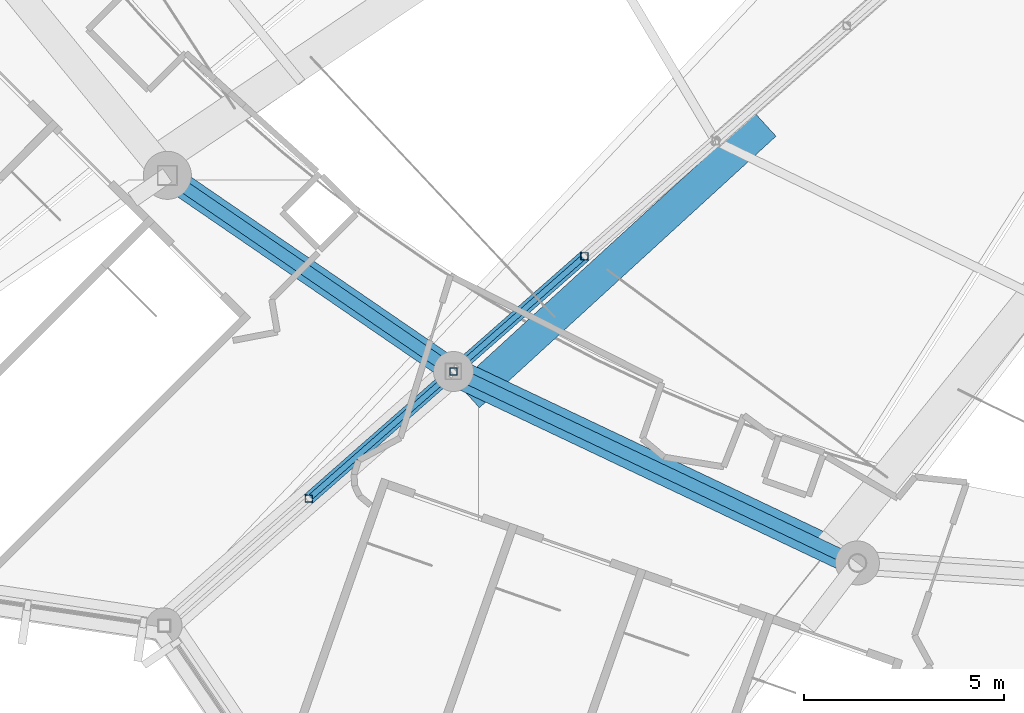
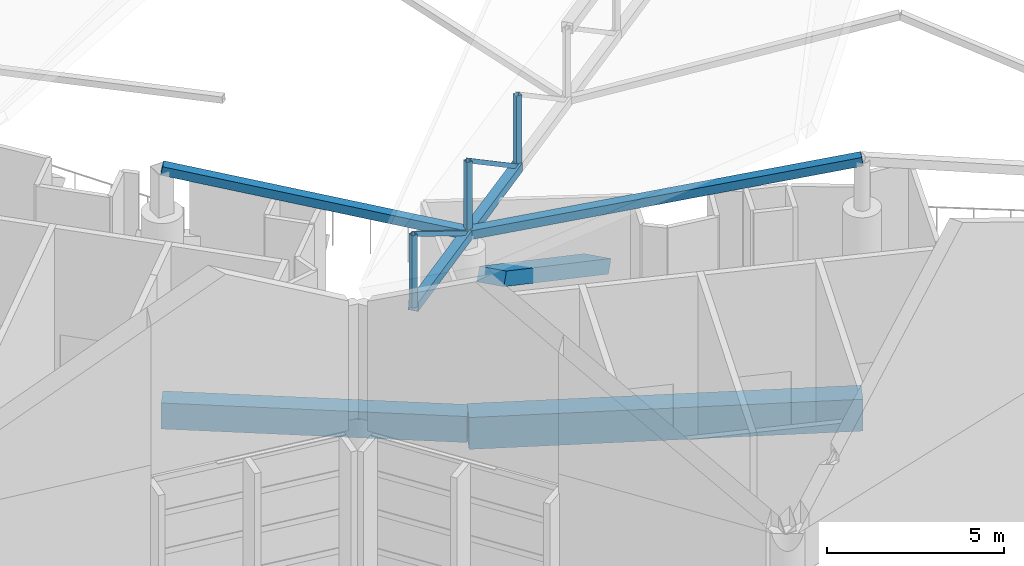
# One storey, part 8 of 344: 9 members, 3 beams.
"""IFC4 building model written with IfcOpenShell, lengths in metres."""

from ifc_helpers import new_model, si_unit, direction, frame, origin, origin_2d, place, context, subcontext, project, spatial, rectangle, hollow_rectangle, extrude, material, material_profile, profile_set, type_object, element, save


model = new_model("IFC4")

# Units and contexts
model_context = context("Model", 3, precision=1e-05, world=origin(), true_north=direction((0.0, 1.0)))
body_context = subcontext(model_context, "Body", "Model", "MODEL_VIEW")
ifc_project = project(units=[si_unit("LENGTHUNIT", "METRE"), si_unit("AREAUNIT", "SQUARE_METRE"), si_unit("VOLUMEUNIT", "CUBIC_METRE"), si_unit("PLANEANGLEUNIT", "RADIAN"), si_unit("MASSUNIT", "GRAM", prefix="KILO")], contexts=[model_context])

# Site, building, storey
site_placement = place(None, origin())
site = spatial("IfcSite", under=ifc_project, at=site_placement, CompositionType="ELEMENT")
building_placement = place(site_placement, origin())
building = spatial("IfcBuilding", under=site, at=building_placement, Name="Meseta Stadium", CompositionType="ELEMENT")
storey_placement = place(building_placement, frame((0.0, 0.0, 24.0)))
storey = spatial("IfcBuildingStorey", under=building, at=storey_placement, Name="L04", CompositionType="ELEMENT", Elevation=24.0)

# Beams
ifc_material_1 = material(Name="Concrete C40/50", Category="concrete")
ifc_material_profile_1 = material_profile(ifc_material_1, rectangle(XDim=0.60009765625, YDim=0.89990234375, at=origin_2d()), Name="RC 600x900")
ifc_profile_set_1 = profile_set([ifc_material_profile_1], Name="Concrete C40/50")
beam_type_1 = type_object("IfcBeamType", Name="RC beam 600x900", PredefinedType="BEAM", material=ifc_profile_set_1)
beam_1_placement = place(storey_placement, frame((-71.775390625, -79.888916015625, -0.85009765625), z_axis=(0.824813247637, -0.565405258662, 0.0), x_axis=(0.565405258662, 0.824813247637, 0.0)))
element("IfcBeam", 1, at=beam_1_placement, inside=storey, type_object=beam_type_1, Name="L04 ring beam frame 40 line P", PredefinedType="BEAM", context=body_context, shape_type="SweptSolid", body=[
    extrude(rectangle(XDim=0.60009765625, YDim=0.89990234375, at=origin_2d()), origin(), (0.0, 0.0, 1.0), 8.672607421875),
])
ifc_material_2 = material(Name="Concrete C40/50", Category="concrete")
ifc_material_profile_2 = material_profile(ifc_material_2, rectangle(XDim=0.699951171875, YDim=1.10009765625, at=origin_2d()), Name="RC 700x1100")
ifc_profile_set_2 = profile_set([ifc_material_profile_2], Name="Concrete C40/50")
beam_type_2 = type_object("IfcBeamType", Name="RC beam 700x1100", PredefinedType="BEAM", material=ifc_profile_set_2)
beam_2_placement = place(storey_placement, frame((-64.6220703125, -84.79248046875, -0.949951171875), z_axis=(0.903627495473, -0.428319214402, 0.0), x_axis=(0.428319214402, 0.903627495473, 0.0)))
element("IfcBeam", 2, at=beam_2_placement, inside=storey, type_object=beam_type_2, Name="L04 ring beam frame 41 line P", PredefinedType="BEAM", context=body_context, shape_type="SweptSolid", body=[
    extrude(rectangle(XDim=0.699951171875, YDim=1.10009765625, at=origin_2d()), origin(), (0.0, 0.0, 1.0), 11.176025390625),
])
ifc_material_3 = material(Name="Concrete C40/50", Category="concrete")
ifc_material_profile_3 = material_profile(ifc_material_3, rectangle(XDim=0.800048828125, YDim=0.449951171875, at=origin_2d()), Name="RC 800x450")
ifc_profile_set_3 = profile_set([ifc_material_profile_3], Name="Concrete C40/50")
beam_type_3 = type_object("IfcBeamType", Name="RC raker upper rear 800x450", PredefinedType="USERDEFINED", material=ifc_profile_set_3)
beam_3_placement = place(storey_placement, frame((-56.9150390625, -78.69580078125, -1.73486328125), z_axis=(-0.62597534425, -0.573017454419, 0.528966790378), x_axis=(0.675216522578, -0.737619581924, 0.0)))
element("IfcBeam", 3, at=beam_3_placement, inside=storey, type_object=beam_type_3, Name="Raker upper rear frame 41 upper tier", ObjectType="RAKER", PredefinedType="USERDEFINED", context=body_context, shape_type="SweptSolid", body=[
    extrude(rectangle(XDim=0.800048828125, YDim=0.449951171875, at=origin_2d()), origin(), (0.0, 0.0, 1.0), 11.566650390625),
])

# Members
ifc_material_4 = material(Name="Steel S355", Category="steel")
ifc_material_profile_4 = material_profile(ifc_material_4, hollow_rectangle(XDim=0.139892578125, YDim=0.139892578125, WallThickness=0.0048828125, at=origin_2d()), Name="SHS 140x140x5")
ifc_profile_set_4 = profile_set([ifc_material_profile_4], Name="Steel S355")
member_type_1 = type_object("IfcMemberType", Name="SHS 140x140x5 diagonal", PredefinedType="BRACE", material=ifc_profile_set_4)
member_1_placement = place(storey_placement, frame((-61.34521484375, -81.91259765625, 5.130859375), z_axis=(-0.612496948753, -0.538296379637, 0.578864833478), x_axis=(0.66014331382, -0.751139670913, 0.0)))
element("IfcMember", 4, at=member_1_placement, inside=storey, type_object=member_type_1, Name="ROOF TRUSS RT-41 diagonal", PredefinedType="BRACE", context=body_context, shape_type="SweptSolid", body=[
    extrude(hollow_rectangle(XDim=0.139892578125, YDim=0.139892578125, WallThickness=0.0048828125, at=origin_2d()), origin(), (0.0, 0.0, 1.0), 5.35009765625),
])
member_2_placement = place(storey_placement, frame((-64.6220703125, -84.79248046875, 5.734130859375), z_axis=(-0.628035592371, -0.551952452174, 0.548561560132), x_axis=(0.660143211531, -0.75113976081, 0.0)))
element("IfcMember", 5, at=member_2_placement, inside=storey, type_object=member_type_1, Name="ROOF TRUSS RT-41 diagonal", PredefinedType="BRACE", context=body_context, shape_type="SweptSolid", body=[
    extrude(hollow_rectangle(XDim=0.139892578125, YDim=0.139892578125, WallThickness=0.0048828125, at=origin_2d()), origin(), (0.0, 0.0, 1.0), 5.760009765625),
])
ifc_material_5 = material(Name="Steel S355", Category="steel")
ifc_material_profile_5 = material_profile(ifc_material_5, hollow_rectangle(XDim=0.179931640625, YDim=0.179931640625, WallThickness=0.00634765625, at=origin_2d()), Name="SHS 180x180x6.3")
ifc_profile_set_5 = profile_set([ifc_material_profile_5], Name="Steel S355")
member_type_2 = type_object("IfcMemberType", Name="SHS 180x180x6.3 post", PredefinedType="POST", material=ifc_profile_set_5)
for number, where, z_axis, x_axis, name in (
    (6, (-61.34521484375, -81.91259765625, 5.130859375), (0.0, 0.0, 1.0), (1.0, 0.0, 0.0), "ROOF TRUSS RT-41 post"),
    (7, (-64.6220703125, -84.79248046875, 5.734130859375), (0.0, 0.0, 1.0), (1.0, 0.0, 0.0), "ROOF TRUSS RT-41 post"),
    (8, (-68.239501953125, -87.9716796875, 6.400146484375), (0.0, 0.0, 1.0), (1.0, 0.0, 0.0), "ROOF TRUSS RT-41 post"),
):
    element("IfcMember", number, at=place(storey_placement, frame(where, z_axis=z_axis, x_axis=x_axis)), inside=storey, type_object=member_type_2, Name=name, PredefinedType="POST", context=body_context, shape_type="SweptSolid", body=[
        extrude(hollow_rectangle(XDim=0.179931640625, YDim=0.179931640625, WallThickness=0.00634765625, at=origin_2d()), origin(), (0.0, 0.0, 1.0), 2.49365234375),
    ])
ifc_material_6 = material(Name="Steel S355", Category="steel")
ifc_material_profile_6 = material_profile(ifc_material_6, hollow_rectangle(XDim=0.300048828125, YDim=0.300048828125, WallThickness=0.010009765625, at=origin_2d()), Name="SHS 300x300x10")
ifc_profile_set_6 = profile_set([ifc_material_profile_6], Name="Steel S355")
member_type_3 = type_object("IfcMemberType", Name="SHS 300x300x10 bottom chord", PredefinedType="CHORD", material=ifc_profile_set_6)
member_3_placement = place(storey_placement, frame((-61.34521484375, -81.91259765625, 5.130859375), z_axis=(-0.744059098746, -0.653920513247, 0.13698182335), x_axis=(0.66014331382, -0.751139670913, 0.0)))
element("IfcMember", 9, at=member_3_placement, inside=storey, type_object=member_type_3, Name="ROOF TRUSS RT-41 bottom chord", PredefinedType="CHORD", context=body_context, shape_type="SweptSolid", body=[
    extrude(hollow_rectangle(XDim=0.300048828125, YDim=0.300048828125, WallThickness=0.010009765625, at=origin_2d()), origin(), (0.0, 0.0, 1.0), 4.404052734375),
])
member_4_placement = place(storey_placement, frame((-64.6220703125, -84.79248046875, 5.734130859375), z_axis=(-0.744058267473, -0.653919603093, 0.136990683247), x_axis=(0.660143211531, -0.75113976081, 0.0)))
element("IfcMember", 10, at=member_4_placement, inside=storey, type_object=member_type_3, Name="ROOF TRUSS RT-41 bottom chord", PredefinedType="CHORD", context=body_context, shape_type="SweptSolid", body=[
    extrude(hollow_rectangle(XDim=0.300048828125, YDim=0.300048828125, WallThickness=0.010009765625, at=origin_2d()), origin(), (0.0, 0.0, 1.0), 4.86181640625),
])
ifc_material_7 = material(Name="Steel S355", Category="steel")
ifc_material_profile_7 = material_profile(ifc_material_7, hollow_rectangle(XDim=0.300048828125, YDim=0.300048828125, WallThickness=0.010009765625, at=origin_2d()), Name="SHS 300x300x10")
ifc_profile_set_7 = profile_set([ifc_material_profile_7], Name="Steel S355")
member_type_4 = type_object("IfcMemberType", Name="SHS 300x300x10 pivot strut", PredefinedType="STRUT", material=ifc_profile_set_7)
member_5_placement = place(storey_placement, frame((-71.775390625, -79.888916015625, 7.498779296875), z_axis=(0.808251656323, -0.554052372602, -0.199387132147), x_axis=(0.565405258662, 0.824813247637, 0.0)))
element("IfcMember", 11, at=member_5_placement, inside=storey, type_object=member_type_4, Name="ROOF PIVOT STRUT RT-40/41", PredefinedType="STRUT", context=body_context, shape_type="SweptSolid", body=[
    extrude(hollow_rectangle(XDim=0.300048828125, YDim=0.300048828125, WallThickness=0.010009765625, at=origin_2d()), origin(), (0.0, 0.0, 1.0), 8.850341796875),
])
member_6_placement = place(storey_placement, frame((-64.6220703125, -84.79248046875, 5.734130859375), z_axis=(0.890584836949, -0.422136997415, 0.169289703202), x_axis=(0.428319214402, 0.903627495473, 0.0)))
element("IfcMember", 12, at=member_6_placement, inside=storey, type_object=member_type_4, Name="ROOF PIVOT STRUT RT-41/42", PredefinedType="STRUT", context=body_context, shape_type="SweptSolid", body=[
    extrude(hollow_rectangle(XDim=0.300048828125, YDim=0.300048828125, WallThickness=0.010009765625, at=origin_2d()), origin(), (0.0, 0.0, 1.0), 11.339599609375),
])

save(model, "model.ifc")
